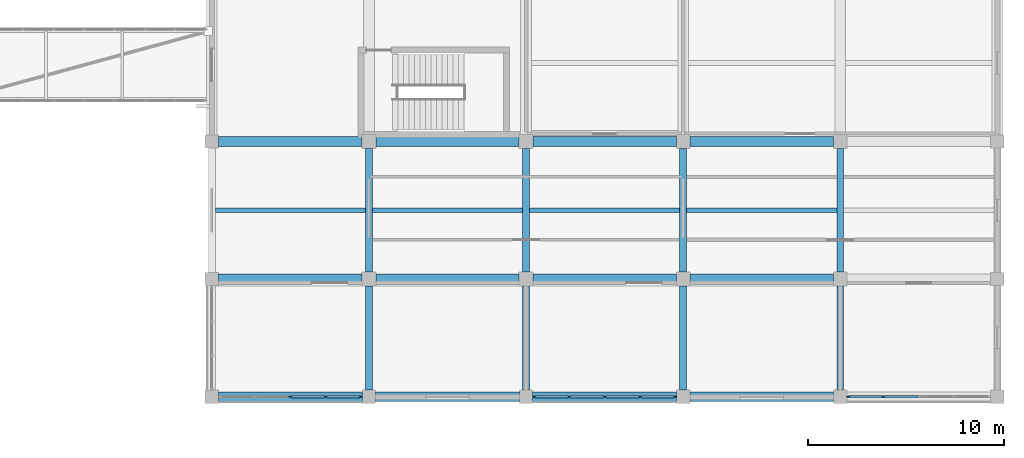
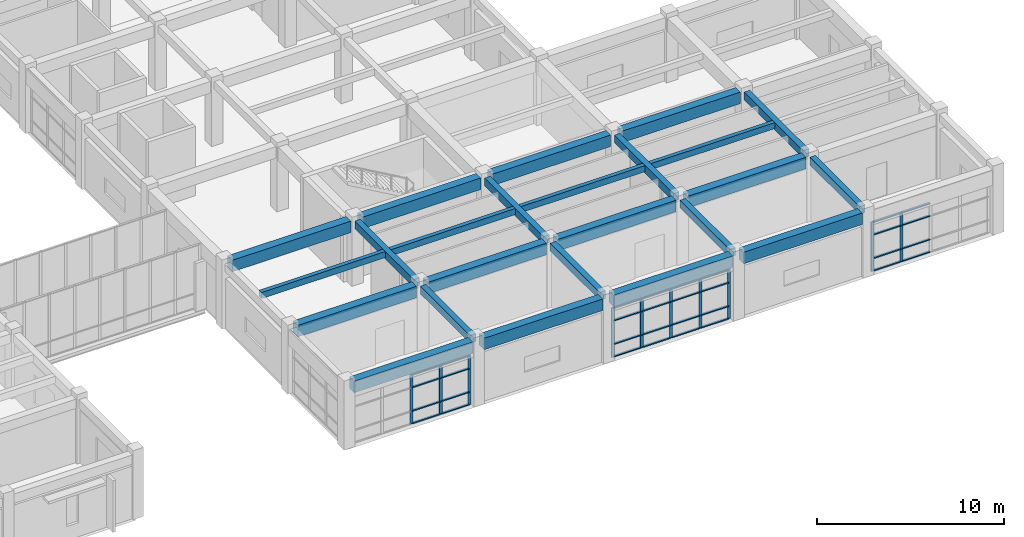
# One storey, part 33 of 72: 42 members, 24 beams, 3 elements without a shape of their own.
"""IFC4 building model written with IfcOpenShell, lengths in metres."""

import ifcopenshell
import ifcopenshell.guid

model = None  # the IFC model being written
_history = None  # IfcOwnerHistory: only IFC2X3 demands one
_inside = {}  # id of a spatial element -> (the spatial element, [elements in it])
_under = {}  # id of a project, library or spatial element -> (it, [spatial elements below it])
_declared = {}  # id of a project -> (the project, [libraries it declares])
_typed = {}  # id of a type object -> (the type object, [elements of that type])
_made_of = {}  # id of a material, layer set ... -> (it, [elements and type objects made of it])


def new_model(schema):
    """Start an empty IFC model of exactly this schema.

    Asked for "IFC4X3", IfcOpenShell would pick the latest addendum, in which some entities
    have other attributes; the version numbers below select the first issue.
    IFC2X3 requires an IfcOwnerHistory on every rooted entity: one is made here for all.
    """
    global model, _history
    if schema == "IFC4X3":
        model = ifcopenshell.file(schema_version=(4, 3, 0, 0))
    else:
        model = ifcopenshell.file(schema=schema)
    _inside.clear()
    _under.clear()
    _declared.clear()
    _typed.clear()
    _made_of.clear()
    _history = None
    if model.schema == "IFC2X3":
        org = make("IfcOrganization", Name="unknown")
        user = make(
            "IfcPersonAndOrganization",
            ThePerson=make("IfcPerson", FamilyName="unknown"),
            TheOrganization=org,
        )
        app = make(
            "IfcApplication",
            ApplicationDeveloper=org,
            Version="unknown",
            ApplicationFullName="unknown",
            ApplicationIdentifier="unknown",
        )
        _history = make(
            "IfcOwnerHistory",
            OwningUser=user,
            OwningApplication=app,
            ChangeAction="ADDED",
            CreationDate=0,
        )
    return model


def make(cls, **values):
    """One entity of the class cls with the attributes given. An attribute that is None is left unset."""
    return model.create_entity(
        cls, **{name: value for name, value in values.items() if value is not None}
    )


def rooted(cls, **values):
    """An entity with a GlobalId (a new one), such as an element, a storey or a relation."""
    return make(cls, GlobalId=ifcopenshell.guid.new(), OwnerHistory=_history, **values)


def si_unit(unit_type, name, prefix=None):
    """IfcSIUnit, for example si_unit("LENGTHUNIT", "METRE", prefix="MILLI")."""
    return make("IfcSIUnit", UnitType=unit_type, Prefix=prefix, Name=name)


def assignment(units):
    """IfcUnitAssignment: the units of a project."""
    return None if units is None else make("IfcUnitAssignment", Units=units)


def point(xyz):
    """IfcCartesianPoint."""
    return None if xyz is None else make("IfcCartesianPoint", Coordinates=xyz)


def direction(xyz):
    """IfcDirection."""
    return None if xyz is None else make("IfcDirection", DirectionRatios=xyz)


def frame(location, z_axis=None, x_axis=None):
    """IfcAxis2Placement3D, a coordinate frame: its origin and axes. An axis left out is left unset."""
    return make(
        "IfcAxis2Placement3D",
        Location=point(location),
        Axis=direction(z_axis),
        RefDirection=direction(x_axis),
    )


def frame_2d(location, x_axis=None):
    """IfcAxis2Placement2D, a coordinate frame in the plane: its origin and x axis."""
    return make(
        "IfcAxis2Placement2D", Location=point(location), RefDirection=direction(x_axis)
    )


def origin():
    """The frame at (0, 0, 0) with its axes left unset."""
    return frame((0.0, 0.0, 0.0))


def origin_2d():
    """The frame at (0, 0) in the plane with its x axis left unset."""
    return frame_2d((0.0, 0.0))


def place(relative_to, where):
    """IfcLocalPlacement: puts the frame where relative to a parent placement (None: the world)."""
    return make(
        "IfcLocalPlacement", PlacementRelTo=relative_to, RelativePlacement=where
    )


def context(
    kind, dimensions, precision=None, world=None, true_north=None, identifier=None
):
    """IfcGeometricRepresentationContext, for example the 3D "Model" context."""
    return make(
        "IfcGeometricRepresentationContext",
        ContextIdentifier=identifier,
        ContextType=kind,
        CoordinateSpaceDimension=dimensions,
        Precision=precision,
        WorldCoordinateSystem=world,
        TrueNorth=true_north,
    )


def subcontext(parent, identifier, kind, view, scale=None):
    """IfcGeometricRepresentationSubContext, for example "Body" below "Model"."""
    return make(
        "IfcGeometricRepresentationSubContext",
        ContextIdentifier=identifier,
        ContextType=kind,
        ParentContext=parent,
        TargetScale=scale,
        TargetView=view,
    )


def project(units=None, contexts=None):
    """IfcProject with its units and contexts."""
    return rooted(
        "IfcProject",
        Name="project",
        RepresentationContexts=contexts,
        UnitsInContext=assignment(units),
    )


def spatial(cls, under=None, at=None, **own):
    """A site, building, storey or space (cls), placed at a placement, below another one or the project."""
    s = rooted(cls, ObjectPlacement=at, **own)
    if under is not None:
        _under.setdefault(under.id(), (under, []))[1].append(s)
    return s


def profile(cls, at=None, kind="AREA", **sizes):
    """A parametric profile (cls). Its sizes go by their IFC names, for example OverallWidth=200.0."""
    return make(cls, ProfileType=kind, Position=at, **sizes)


def rectangle(**sizes):
    """IfcRectangleProfileDef."""
    return profile("IfcRectangleProfileDef", **sizes)


def extrude(swept, where, along, depth):
    """IfcExtrudedAreaSolid: the profile swept, set in the frame where, extruded along a direction by depth."""
    return make(
        "IfcExtrudedAreaSolid",
        SweptArea=swept,
        Position=where,
        ExtrudedDirection=direction(along),
        Depth=depth,
    )


def shape(context_of_items, identifier, shape_type, items):
    """IfcShapeRepresentation: the items that make up one representation, for example the "Body"."""
    return make(
        "IfcShapeRepresentation",
        ContextOfItems=context_of_items,
        RepresentationIdentifier=identifier,
        RepresentationType=shape_type,
        Items=items,
    )


def material(Name=None, Category=None):
    """IfcMaterial."""
    return make("IfcMaterial", Name=Name, Category=Category)


def layer(
    of_material, thickness, ventilated=None, Name=None, Category=None, Priority=None
):
    """IfcMaterialLayer: one layer of a wall or slab, of a material (None: an air gap)."""
    return make(
        "IfcMaterialLayer",
        Material=of_material,
        LayerThickness=thickness,
        IsVentilated=ventilated,
        Name=Name,
        Category=Category,
        Priority=Priority,
    )


def layer_set(layers, Name=None):
    """IfcMaterialLayerSet."""
    return make("IfcMaterialLayerSet", MaterialLayers=layers, LayerSetName=Name)


def material_profile(
    of_material, cross_section, Name=None, Category=None, Priority=None
):
    """IfcMaterialProfile: a cross section and its material."""
    return make(
        "IfcMaterialProfile",
        Name=Name,
        Material=of_material,
        Profile=cross_section,
        Priority=Priority,
        Category=Category,
    )


def profile_set(profiles, Name=None, composite=None):
    """IfcMaterialProfileSet."""
    return make(
        "IfcMaterialProfileSet",
        Name=Name,
        MaterialProfiles=profiles,
        CompositeProfile=composite,
    )


def made_of(thing, what):
    """Note that an element or type object is made of a material, layer set ...; save() writes the relation."""
    if what is not None:
        _made_of.setdefault(what.id(), (what, []))[1].append(thing)
    return thing


def type_object(cls, material=None, **own):
    """A type object (cls), such as IfcWallType, which elements share."""
    return made_of(rooted(cls, **own), material)


def element(
    cls,
    number,
    at=None,
    inside=None,
    cuts=None,
    type_object=None,
    material=None,
    context=None,
    identifier="Body",
    shape_type=None,
    held_by="IfcProductDefinitionShape",
    body=None,
    shapes=None,
    **own,
):
    """One element of the class cls, such as IfcWall. Its Tag is "e" and its number.

    at: its placement. inside: the storey or other place that contains it. cuts: it is an
    opening in that element (IfcRelVoidsElement). A single representation is given by context,
    identifier, shape_type and body (its items); several are given by shapes. held_by: the class
    of the entity that holds the representations. save() writes the other relations.
    """
    e = rooted(cls, Tag="e%d" % number, ObjectPlacement=at, **own)
    if body is not None:
        shapes = [shape(context, identifier, shape_type, body)]
    if shapes is not None:
        e.Representation = make(held_by, Representations=shapes)
    if inside is not None:
        _inside.setdefault(inside.id(), (inside, []))[1].append(e)
    if cuts is not None:
        rooted(
            "IfcRelVoidsElement", RelatingBuildingElement=cuts, RelatedOpeningElement=e
        )
    if type_object is not None:
        _typed.setdefault(type_object.id(), (type_object, []))[1].append(e)
    return made_of(e, material)


def aggregate(whole, parts):
    """IfcRelAggregates: a whole, such as a stair, and the parts it consists of."""
    return rooted("IfcRelAggregates", RelatingObject=whole, RelatedObjects=parts)


def save(model, path):
    """Write the relations noted so far, then the file.

    IfcRelAggregates (storeys below a building ...), IfcRelContainedInSpatialStructure (elements
    in a storey), IfcRelDefinesByType, IfcRelAssociatesMaterial and IfcRelDeclares: one each for
    every whole, place, type object, material and project.
    """
    for whole, parts in _under.values():
        aggregate(whole, parts)
    for where, things in _inside.values():
        rooted(
            "IfcRelContainedInSpatialStructure",
            RelatedElements=things,
            RelatingStructure=where,
        )
    for kind, things in _typed.values():
        rooted("IfcRelDefinesByType", RelatedObjects=things, RelatingType=kind)
    for what, things in _made_of.values():
        rooted("IfcRelAssociatesMaterial", RelatedObjects=things, RelatingMaterial=what)
    for by, libraries in _declared.values():
        rooted("IfcRelDeclares", RelatingContext=by, RelatedDefinitions=libraries)
    model.write(path)


model = new_model("IFC4")

# Units and contexts
model_context = context("Model", 3, precision=1e-05, world=origin(), true_north=direction((0.0, 1.0)))
body_context = subcontext(model_context, "Body", "Model", "MODEL_VIEW")
ifc_project = project(units=[si_unit("LENGTHUNIT", "METRE"), si_unit("AREAUNIT", "SQUARE_METRE"), si_unit("VOLUMEUNIT", "CUBIC_METRE"), si_unit("PLANEANGLEUNIT", "RADIAN"), si_unit("MASSUNIT", "GRAM", prefix="KILO")], contexts=[model_context])

# Site, building, storey
site_placement = place(None, origin())
site = spatial("IfcSite", under=ifc_project, at=site_placement, CompositionType="ELEMENT")
building_placement = place(site_placement, origin())
building = spatial("IfcBuilding", under=site, at=building_placement, Name="Naurynzar Civic Courthouse", CompositionType="ELEMENT")
storey_placement = place(building_placement, frame((0.0, 0.0, 9.89990234375)))
storey = spatial("IfcBuildingStorey", under=building, at=storey_placement, Name="L03", CompositionType="ELEMENT", Elevation=9.89990234375)

# Beams
ifc_material_1 = material(Name="Concrete C40/50", Category="concrete")
ifc_material_profile_1 = material_profile(ifc_material_1, rectangle(XDim=0.25, YDim=0.39990234375, at=origin_2d()), Name="RCB 250x400")
ifc_profile_set_1 = profile_set([ifc_material_profile_1], Name="Concrete C40/50")
beam_type_1 = type_object("IfcBeamType", Name="BM-JST-250x400", PredefinedType="JOIST", material=ifc_profile_set_1)
for number, where, z_axis, x_axis, name in (
    (1, (130.175048828125, 13.5, 4.0), (1.0, 0.0, 0.0), (0.0, 1.0, 0.0), "V5 secondary rib 2471 L03"),
    (2, (138.175048828125, 13.5, 4.0), (1.0, 0.0, 0.0), (0.0, 1.0, 0.0), "V5 secondary rib 2472 L03"),
    (3, (146.175048828125, 13.5, 4.0), (1.0, 0.0, 0.0), (0.0, 1.0, 0.0), "V5 secondary rib 2473 L03"),
    (4, (154.175048828125, 13.5, 4.0), (1.0, 0.0, 0.0), (0.0, 1.0, 0.0), "V5 secondary rib 2474 L03"),
):
    element("IfcBeam", number, at=place(storey_placement, frame(where, z_axis=z_axis, x_axis=x_axis)), inside=storey, type_object=beam_type_1, Name=name, PredefinedType="JOIST", context=body_context, shape_type="SweptSolid", body=[
        extrude(rectangle(XDim=0.25, YDim=0.39990234375, at=origin_2d()), origin(), (0.0, 0.0, 1.0), 7.64990234375),
    ])
ifc_material_2 = material(Name="Concrete C40/50", Category="concrete")
ifc_material_profile_2 = material_profile(ifc_material_2, rectangle(XDim=0.35009765625, YDim=0.5, at=origin_2d()), Name="RCB 350x500")
ifc_profile_set_2 = profile_set([ifc_material_profile_2], Name="Concrete C40/50")
beam_type_2 = type_object("IfcBeamType", Name="BM-RC-350x500", PredefinedType="BEAM", material=ifc_profile_set_2)
beam_1_placement = place(storey_placement, frame((138.0, 4.33740234375, 3.9501953125), z_axis=(0.0, 1.0, 0.0), x_axis=(-1.0, 0.0, 0.0)))
element("IfcBeam", 5, at=beam_1_placement, inside=storey, type_object=beam_type_2, Name="V5 girder Y-2432 L03", PredefinedType="BEAM", context=body_context, shape_type="SweptSolid", body=[
    extrude(rectangle(XDim=0.35009765625, YDim=0.5, at=origin_2d()), origin(), (0.0, 0.0, 1.0), 5.3125),
])
beam_2_placement = place(storey_placement, frame((138.0, 10.35009765625, 3.9501953125), z_axis=(0.0, 1.0, 0.0), x_axis=(-1.0, 0.0, 0.0)))
element("IfcBeam", 6, at=beam_2_placement, inside=storey, type_object=beam_type_2, Name="V5 girder Y-2433 L03", PredefinedType="BEAM", context=body_context, shape_type="SweptSolid", body=[
    extrude(rectangle(XDim=0.35009765625, YDim=0.5, at=origin_2d()), origin(), (0.0, 0.0, 1.0), 6.2998046875),
])
beam_3_placement = place(storey_placement, frame((146.0, 4.33740234375, 3.9501953125), z_axis=(0.0, 1.0, 0.0), x_axis=(-1.0, 0.0, 0.0)))
element("IfcBeam", 7, at=beam_3_placement, inside=storey, type_object=beam_type_2, Name="V5 girder Y-2441 L03", PredefinedType="BEAM", context=body_context, shape_type="SweptSolid", body=[
    extrude(rectangle(XDim=0.35009765625, YDim=0.5, at=origin_2d()), origin(), (0.0, 0.0, 1.0), 5.3125),
])
beam_4_placement = place(storey_placement, frame((146.0, 10.35009765625, 3.9501953125), z_axis=(0.0, 1.0, 0.0), x_axis=(-1.0, 0.0, 0.0)))
element("IfcBeam", 8, at=beam_4_placement, inside=storey, type_object=beam_type_2, Name="V5 girder Y-2442 L03", PredefinedType="BEAM", context=body_context, shape_type="SweptSolid", body=[
    extrude(rectangle(XDim=0.35009765625, YDim=0.5, at=origin_2d()), origin(), (0.0, 0.0, 1.0), 6.2998046875),
])
beam_5_placement = place(storey_placement, frame((154.0, 4.33740234375, 3.9501953125), z_axis=(0.0, 1.0, 0.0), x_axis=(-1.0, 0.0, 0.0)))
element("IfcBeam", 9, at=beam_5_placement, inside=storey, type_object=beam_type_2, Name="V5 girder Y-2450 L03", PredefinedType="BEAM", context=body_context, shape_type="SweptSolid", body=[
    extrude(rectangle(XDim=0.35009765625, YDim=0.5, at=origin_2d()), origin(), (0.0, 0.0, 1.0), 5.3125),
])
beam_6_placement = place(storey_placement, frame((154.0, 10.35009765625, 3.9501953125), z_axis=(0.0, 1.0, 0.0), x_axis=(-1.0, 0.0, 0.0)))
element("IfcBeam", 10, at=beam_6_placement, inside=storey, type_object=beam_type_2, Name="V5 girder Y-2451 L03", PredefinedType="BEAM", context=body_context, shape_type="SweptSolid", body=[
    extrude(rectangle(XDim=0.35009765625, YDim=0.5, at=origin_2d()), origin(), (0.0, 0.0, 1.0), 6.2998046875),
])
beam_7_placement = place(storey_placement, frame((162.0, 4.33740234375, 3.9501953125), z_axis=(0.0, 1.0, 0.0), x_axis=(-1.0, 0.0, 0.0)))
element("IfcBeam", 11, at=beam_7_placement, inside=storey, type_object=beam_type_2, Name="V5 girder Y-2459 L03", PredefinedType="BEAM", context=body_context, shape_type="SweptSolid", body=[
    extrude(rectangle(XDim=0.35009765625, YDim=0.5, at=origin_2d()), origin(), (0.0, 0.0, 1.0), 5.3125),
])
beam_8_placement = place(storey_placement, frame((162.0, 10.35009765625, 3.9501953125), z_axis=(0.0, 1.0, 0.0), x_axis=(-1.0, 0.0, 0.0)))
element("IfcBeam", 12, at=beam_8_placement, inside=storey, type_object=beam_type_2, Name="V5 girder Y-2460 L03", PredefinedType="BEAM", context=body_context, shape_type="SweptSolid", body=[
    extrude(rectangle(XDim=0.35009765625, YDim=0.5, at=origin_2d()), origin(), (0.0, 0.0, 1.0), 6.2998046875),
])
ifc_material_3 = material(Name="Concrete C40/50", Category="concrete")
ifc_material_profile_3 = material_profile(ifc_material_3, rectangle(XDim=0.5, YDim=0.75, at=origin_2d()), Name="RCB 500x750")
ifc_profile_set_3 = profile_set([ifc_material_profile_3], Name="Concrete C40/50")
beam_type_3 = type_object("IfcBeamType", Name="BM-RC-500x750", PredefinedType="BEAM", material=ifc_profile_set_3)
for number, where, z_axis, x_axis, name in (
    (13, (130.33740234375, 4.0, 3.8251953125), (1.0, 0.0, 0.0), (0.0, 1.0, 0.0), "V5 beam X-2377 L03"),
    (14, (138.33740234375, 4.0, 3.8251953125), (1.0, 0.0, 0.0), (0.0, 1.0, 0.0), "V5 beam X-2378 L03"),
    (15, (146.33740234375, 4.0, 3.8251953125), (1.0, 0.0, 0.0), (0.0, 1.0, 0.0), "V5 beam X-2379 L03"),
    (16, (154.33740234375, 4.0, 3.8251953125), (1.0, 0.0, 0.0), (0.0, 1.0, 0.0), "V5 beam X-2380 L03"),
):
    element("IfcBeam", number, at=place(storey_placement, frame(where, z_axis=z_axis, x_axis=x_axis)), inside=storey, type_object=beam_type_3, Name=name, PredefinedType="BEAM", context=body_context, shape_type="SweptSolid", body=[
        extrude(rectangle(XDim=0.5, YDim=0.75, at=origin_2d()), origin(), (0.0, 0.0, 1.0), 7.3251953125),
    ])
beam_9_placement = place(storey_placement, frame((130.33740234375, 10.0, 3.8251953125), z_axis=(1.0, 0.0, 0.0), x_axis=(0.0, 1.0, 0.0)))
element("IfcBeam", 17, at=beam_9_placement, inside=storey, type_object=beam_type_3, Name="V5 beam X-2382 L03", PredefinedType="BEAM", context=body_context, shape_type="SweptSolid", body=[
    extrude(rectangle(XDim=0.5, YDim=0.75, at=origin_2d()), origin(), (0.0, 0.0, 1.0), 7.3125),
])
for number, where, z_axis, x_axis, name in (
    (18, (138.35009765625, 10.0, 3.8251953125), (1.0, 0.0, 0.0), (0.0, 1.0, 0.0), "V5 beam X-2383 L03"),
    (19, (146.35009765625, 10.0, 3.8251953125), (1.0, 0.0, 0.0), (0.0, 1.0, 0.0), "V5 beam X-2384 L03"),
    (20, (154.35009765625, 10.0, 3.8251953125), (1.0, 0.0, 0.0), (0.0, 1.0, 0.0), "V5 beam X-2385 L03"),
):
    element("IfcBeam", number, at=place(storey_placement, frame(where, z_axis=z_axis, x_axis=x_axis)), inside=storey, type_object=beam_type_3, Name=name, PredefinedType="BEAM", context=body_context, shape_type="SweptSolid", body=[
        extrude(rectangle(XDim=0.5, YDim=0.75, at=origin_2d()), origin(), (0.0, 0.0, 1.0), 7.2998046875),
    ])
beam_10_placement = place(storey_placement, frame((130.33740234375, 17.0, 3.8251953125), z_axis=(1.0, 0.0, 0.0), x_axis=(0.0, 1.0, 0.0)))
element("IfcBeam", 21, at=beam_10_placement, inside=storey, type_object=beam_type_3, Name="V5 beam X-2387 L03", PredefinedType="BEAM", context=body_context, shape_type="SweptSolid", body=[
    extrude(rectangle(XDim=0.5, YDim=0.75, at=origin_2d()), origin(), (0.0, 0.0, 1.0), 7.3125),
])
for number, where, z_axis, x_axis, name in (
    (22, (138.35009765625, 17.0, 3.8251953125), (1.0, 0.0, 0.0), (0.0, 1.0, 0.0), "V5 beam X-2388 L03"),
    (23, (146.35009765625, 17.0, 3.8251953125), (1.0, 0.0, 0.0), (0.0, 1.0, 0.0), "V5 beam X-2389 L03"),
    (24, (154.35009765625, 17.0, 3.8251953125), (1.0, 0.0, 0.0), (0.0, 1.0, 0.0), "V5 beam X-2390 L03"),
):
    element("IfcBeam", number, at=place(storey_placement, frame(where, z_axis=z_axis, x_axis=x_axis)), inside=storey, type_object=beam_type_3, Name=name, PredefinedType="BEAM", context=body_context, shape_type="SweptSolid", body=[
        extrude(rectangle(XDim=0.5, YDim=0.75, at=origin_2d()), origin(), (0.0, 0.0, 1.0), 7.2998046875),
    ])

# Curtain wall, members
ifc_material_4 = material(Name="Aluminium 6063-T6", Category="aluminium")
ifc_layer = layer(ifc_material_4, 0.159912109375)
ifc_layer_set = layer_set([ifc_layer], Name="CW-UNIT-1800")
curtain_wall_type = type_object("IfcCurtainWallType", Name="CW-UNIT-1800", PredefinedType="NOTDEFINED", material=ifc_layer_set)
curtain_wall_1_placement = place(storey_placement, origin())
curtain_wall_1 = element("IfcCurtainWall", 25, at=curtain_wall_1_placement, inside=storey, type_object=curtain_wall_type, Name="V5 unitised curtain wall 94 L03", PredefinedType="NOTDEFINED")
ifc_material_5 = material(Name="Aluminium 6063-T6", Category="aluminium")
ifc_material_profile_4 = material_profile(ifc_material_5, rectangle(XDim=0.070068359375, YDim=0.179931640625, at=origin_2d()), Name="ALU MULLION 70x180")
ifc_profile_set_4 = profile_set([ifc_material_profile_4], Name="Aluminium 6063-T6")
member_type_1 = type_object("IfcMemberType", Name="CWM-70x180", PredefinedType="MULLION", material=ifc_profile_set_4)
member_1_placement = place(storey_placement, frame((164.19384765625, 4.0, 0.0), z_axis=(0.0, 0.0, 1.0), x_axis=(0.0, -1.0, 0.0)))
member_1 = element("IfcMember", 26, at=member_1_placement, type_object=member_type_1, Name="CW-02 mullion 4", PredefinedType="MULLION", context=body_context, shape_type="SweptSolid", body=[
    extrude(rectangle(XDim=0.070068359375, YDim=0.179931640625, at=origin_2d()), origin(), (0.0, 0.0, 1.0), 3.22998046875),
])
member_2_placement = place(storey_placement, frame((162.422607421875, 4.0, 0.0), z_axis=(0.0, 0.0, 1.0), x_axis=(0.0, -1.0, 0.0)))
member_2 = element("IfcMember", 27, at=member_2_placement, type_object=member_type_1, Name="CW-02 mullion 5", PredefinedType="MULLION", context=body_context, shape_type="SweptSolid", body=[
    extrude(rectangle(XDim=0.070068359375, YDim=0.179931640625, at=origin_2d()), origin(), (0.0, 0.0, 1.0), 3.22998046875),
])

curtain_wall_2_placement = place(storey_placement, origin())
curtain_wall_2 = element("IfcCurtainWall", 28, at=curtain_wall_2_placement, inside=storey, type_object=curtain_wall_type, Name="V5 unitised curtain wall 95 L03", PredefinedType="NOTDEFINED")
member_3_placement = place(storey_placement, frame((153.577392578125, 4.0, 0.0), z_axis=(0.0, 0.0, 1.0), x_axis=(0.0, -1.0, 0.0)))
member_3 = element("IfcMember", 29, at=member_3_placement, type_object=member_type_1, Name="CW-02 mullion 1", PredefinedType="MULLION", context=body_context, shape_type="SweptSolid", body=[
    extrude(rectangle(XDim=0.070068359375, YDim=0.179931640625, at=origin_2d()), origin(), (0.0, 0.0, 1.0), 3.22998046875),
])
member_4_placement = place(storey_placement, frame((151.80615234375, 4.0, 0.0), z_axis=(0.0, 0.0, 1.0), x_axis=(0.0, -1.0, 0.0)))
member_4 = element("IfcMember", 30, at=member_4_placement, type_object=member_type_1, Name="CW-02 mullion 2", PredefinedType="MULLION", context=body_context, shape_type="SweptSolid", body=[
    extrude(rectangle(XDim=0.070068359375, YDim=0.179931640625, at=origin_2d()), origin(), (0.0, 0.0, 1.0), 3.22998046875),
])
member_5_placement = place(storey_placement, frame((150.0, 4.0, 0.0), z_axis=(0.0, 0.0, 1.0), x_axis=(0.0, -1.0, 0.0)))
member_5 = element("IfcMember", 31, at=member_5_placement, type_object=member_type_1, Name="CW-02 mullion 3", PredefinedType="MULLION", context=body_context, shape_type="SweptSolid", body=[
    extrude(rectangle(XDim=0.070068359375, YDim=0.179931640625, at=origin_2d()), origin(), (0.0, 0.0, 1.0), 3.22998046875),
])
member_6_placement = place(storey_placement, frame((148.19384765625, 4.0, 0.0), z_axis=(0.0, 0.0, 1.0), x_axis=(0.0, -1.0, 0.0)))
member_6 = element("IfcMember", 32, at=member_6_placement, type_object=member_type_1, Name="CW-02 mullion 4", PredefinedType="MULLION", context=body_context, shape_type="SweptSolid", body=[
    extrude(rectangle(XDim=0.070068359375, YDim=0.179931640625, at=origin_2d()), origin(), (0.0, 0.0, 1.0), 3.22998046875),
])
member_7_placement = place(storey_placement, frame((146.422607421875, 4.0, 0.0), z_axis=(0.0, 0.0, 1.0), x_axis=(0.0, -1.0, 0.0)))
member_7 = element("IfcMember", 33, at=member_7_placement, type_object=member_type_1, Name="CW-02 mullion 5", PredefinedType="MULLION", context=body_context, shape_type="SweptSolid", body=[
    extrude(rectangle(XDim=0.070068359375, YDim=0.179931640625, at=origin_2d()), origin(), (0.0, 0.0, 1.0), 3.22998046875),
])

curtain_wall_3_placement = place(storey_placement, origin())
curtain_wall_3 = element("IfcCurtainWall", 34, at=curtain_wall_3_placement, inside=storey, type_object=curtain_wall_type, Name="V5 unitised curtain wall 96 L03", PredefinedType="NOTDEFINED")
member_8_placement = place(storey_placement, frame((137.577392578125, 4.0, 0.0), z_axis=(0.0, 0.0, 1.0), x_axis=(0.0, -1.0, 0.0)))
member_8 = element("IfcMember", 35, at=member_8_placement, type_object=member_type_1, Name="CW-02 mullion 1", PredefinedType="MULLION", context=body_context, shape_type="SweptSolid", body=[
    extrude(rectangle(XDim=0.070068359375, YDim=0.179931640625, at=origin_2d()), origin(), (0.0, 0.0, 1.0), 3.22998046875),
])
member_9_placement = place(storey_placement, frame((135.80615234375, 4.0, 0.0), z_axis=(0.0, 0.0, 1.0), x_axis=(0.0, -1.0, 0.0)))
member_9 = element("IfcMember", 36, at=member_9_placement, type_object=member_type_1, Name="CW-02 mullion 2", PredefinedType="MULLION", context=body_context, shape_type="SweptSolid", body=[
    extrude(rectangle(XDim=0.070068359375, YDim=0.179931640625, at=origin_2d()), origin(), (0.0, 0.0, 1.0), 3.22998046875),
])
member_10_placement = place(storey_placement, frame((134.0, 4.0, 0.0), z_axis=(0.0, 0.0, 1.0), x_axis=(0.0, -1.0, 0.0)))
member_10 = element("IfcMember", 37, at=member_10_placement, type_object=member_type_1, Name="CW-02 mullion 3", PredefinedType="MULLION", context=body_context, shape_type="SweptSolid", body=[
    extrude(rectangle(XDim=0.070068359375, YDim=0.179931640625, at=origin_2d()), origin(), (0.0, 0.0, 1.0), 3.22998046875),
])

# Member
ifc_material_6 = material(Name="Aluminium 6063-T6", Category="aluminium")
ifc_material_profile_5 = material_profile(ifc_material_6, rectangle(XDim=0.1298828125, YDim=0.070068359375, at=origin_2d()), Name="ALU TRANSOM 70x130")
ifc_profile_set_5 = profile_set([ifc_material_profile_5], Name="Aluminium 6063-T6")
member_type_2 = type_object("IfcMemberType", Name="CWT-70x130", PredefinedType="USERDEFINED", material=ifc_profile_set_5)
member_11_placement = place(storey_placement, frame((165.965087890625, 4.0, 0.03515625), z_axis=(-1.0, 0.0, 0.0), x_axis=(0.0, -1.0, 0.0)))
member_11 = element("IfcMember", 38, at=member_11_placement, type_object=member_type_2, Name="CW-02 transom 3.1", ObjectType="TRANSOM", PredefinedType="USERDEFINED", context=body_context, shape_type="SweptSolid", body=[
    extrude(rectangle(XDim=0.1298828125, YDim=0.070068359375, at=origin_2d()), origin(), (0.0, 0.0, 1.0), 1.736328125),
])

member_12_placement = place(storey_placement, frame((165.965087890625, 4.0, 0.85009765625), z_axis=(-1.0, 0.0, 0.0), x_axis=(0.0, -1.0, 0.0)))
member_12 = element("IfcMember", 39, at=member_12_placement, type_object=member_type_2, Name="CW-02 transom 3.2", ObjectType="TRANSOM", PredefinedType="USERDEFINED", context=body_context, shape_type="SweptSolid", body=[
    extrude(rectangle(XDim=0.1298828125, YDim=0.070068359375, at=origin_2d()), origin(), (0.0, 0.0, 1.0), 1.736328125),
])

member_13_placement = place(storey_placement, frame((165.965087890625, 4.0, 2.380126953125), z_axis=(-1.0, 0.0, 0.0), x_axis=(0.0, -1.0, 0.0)))
member_13 = element("IfcMember", 40, at=member_13_placement, type_object=member_type_2, Name="CW-02 transom 3.3", ObjectType="TRANSOM", PredefinedType="USERDEFINED", context=body_context, shape_type="SweptSolid", body=[
    extrude(rectangle(XDim=0.1298828125, YDim=0.070068359375, at=origin_2d()), origin(), (0.0, 0.0, 1.0), 1.736328125),
])

member_14_placement = place(storey_placement, frame((165.965087890625, 4.0, 3.195068359375), z_axis=(-1.0, 0.0, 0.0), x_axis=(0.0, -1.0, 0.0)))
member_14 = element("IfcMember", 41, at=member_14_placement, type_object=member_type_2, Name="CW-02 transom 3.4", ObjectType="TRANSOM", PredefinedType="USERDEFINED", context=body_context, shape_type="SweptSolid", body=[
    extrude(rectangle(XDim=0.1298828125, YDim=0.070068359375, at=origin_2d()), origin(), (0.0, 0.0, 1.0), 1.736328125),
])

member_15_placement = place(storey_placement, frame((164.15869140625, 4.0, 0.03515625), z_axis=(-1.0, 0.0, 0.0), x_axis=(0.0, -1.0, 0.0)))
member_15 = element("IfcMember", 42, at=member_15_placement, type_object=member_type_2, Name="CW-02 transom 4.1", ObjectType="TRANSOM", PredefinedType="USERDEFINED", context=body_context, shape_type="SweptSolid", body=[
    extrude(rectangle(XDim=0.1298828125, YDim=0.070068359375, at=origin_2d()), origin(), (0.0, 0.0, 1.0), 1.701171875),
])

member_16_placement = place(storey_placement, frame((164.15869140625, 4.0, 0.85009765625), z_axis=(-1.0, 0.0, 0.0), x_axis=(0.0, -1.0, 0.0)))
member_16 = element("IfcMember", 43, at=member_16_placement, type_object=member_type_2, Name="CW-02 transom 4.2", ObjectType="TRANSOM", PredefinedType="USERDEFINED", context=body_context, shape_type="SweptSolid", body=[
    extrude(rectangle(XDim=0.1298828125, YDim=0.070068359375, at=origin_2d()), origin(), (0.0, 0.0, 1.0), 1.701171875),
])

member_17_placement = place(storey_placement, frame((164.15869140625, 4.0, 2.380126953125), z_axis=(-1.0, 0.0, 0.0), x_axis=(0.0, -1.0, 0.0)))
member_17 = element("IfcMember", 44, at=member_17_placement, type_object=member_type_2, Name="CW-02 transom 4.3", ObjectType="TRANSOM", PredefinedType="USERDEFINED", context=body_context, shape_type="SweptSolid", body=[
    extrude(rectangle(XDim=0.1298828125, YDim=0.070068359375, at=origin_2d()), origin(), (0.0, 0.0, 1.0), 1.701171875),
])

member_18_placement = place(storey_placement, frame((164.15869140625, 4.0, 3.195068359375), z_axis=(-1.0, 0.0, 0.0), x_axis=(0.0, -1.0, 0.0)))
member_18 = element("IfcMember", 45, at=member_18_placement, type_object=member_type_2, Name="CW-02 transom 4.4", ObjectType="TRANSOM", PredefinedType="USERDEFINED", context=body_context, shape_type="SweptSolid", body=[
    extrude(rectangle(XDim=0.1298828125, YDim=0.070068359375, at=origin_2d()), origin(), (0.0, 0.0, 1.0), 1.701171875),
])

aggregate(curtain_wall_1, [member_1, member_2, member_11, member_12, member_13, member_14, member_15, member_16, member_17, member_18])

member_19_placement = place(storey_placement, frame((153.54248046875, 4.0, 0.03515625), z_axis=(-1.0, 0.0, 0.0), x_axis=(0.0, -1.0, 0.0)))
member_19 = element("IfcMember", 46, at=member_19_placement, type_object=member_type_2, Name="CW-02 transom 1.1", ObjectType="TRANSOM", PredefinedType="USERDEFINED", context=body_context, shape_type="SweptSolid", body=[
    extrude(rectangle(XDim=0.1298828125, YDim=0.070068359375, at=origin_2d()), origin(), (0.0, 0.0, 1.0), 1.701171875),
])

member_20_placement = place(storey_placement, frame((153.54248046875, 4.0, 0.85009765625), z_axis=(-1.0, 0.0, 0.0), x_axis=(0.0, -1.0, 0.0)))
member_20 = element("IfcMember", 47, at=member_20_placement, type_object=member_type_2, Name="CW-02 transom 1.2", ObjectType="TRANSOM", PredefinedType="USERDEFINED", context=body_context, shape_type="SweptSolid", body=[
    extrude(rectangle(XDim=0.1298828125, YDim=0.070068359375, at=origin_2d()), origin(), (0.0, 0.0, 1.0), 1.701171875),
])

member_21_placement = place(storey_placement, frame((153.54248046875, 4.0, 2.380126953125), z_axis=(-1.0, 0.0, 0.0), x_axis=(0.0, -1.0, 0.0)))
member_21 = element("IfcMember", 48, at=member_21_placement, type_object=member_type_2, Name="CW-02 transom 1.3", ObjectType="TRANSOM", PredefinedType="USERDEFINED", context=body_context, shape_type="SweptSolid", body=[
    extrude(rectangle(XDim=0.1298828125, YDim=0.070068359375, at=origin_2d()), origin(), (0.0, 0.0, 1.0), 1.701171875),
])

member_22_placement = place(storey_placement, frame((153.54248046875, 4.0, 3.195068359375), z_axis=(-1.0, 0.0, 0.0), x_axis=(0.0, -1.0, 0.0)))
member_22 = element("IfcMember", 49, at=member_22_placement, type_object=member_type_2, Name="CW-02 transom 1.4", ObjectType="TRANSOM", PredefinedType="USERDEFINED", context=body_context, shape_type="SweptSolid", body=[
    extrude(rectangle(XDim=0.1298828125, YDim=0.070068359375, at=origin_2d()), origin(), (0.0, 0.0, 1.0), 1.701171875),
])

member_23_placement = place(storey_placement, frame((151.771240234375, 4.0, 0.03515625), z_axis=(-1.0, 0.0, 0.0), x_axis=(0.0, -1.0, 0.0)))
member_23 = element("IfcMember", 50, at=member_23_placement, type_object=member_type_2, Name="CW-02 transom 2.1", ObjectType="TRANSOM", PredefinedType="USERDEFINED", context=body_context, shape_type="SweptSolid", body=[
    extrude(rectangle(XDim=0.1298828125, YDim=0.070068359375, at=origin_2d()), origin(), (0.0, 0.0, 1.0), 1.736328125),
])

member_24_placement = place(storey_placement, frame((151.771240234375, 4.0, 0.85009765625), z_axis=(-1.0, 0.0, 0.0), x_axis=(0.0, -1.0, 0.0)))
member_24 = element("IfcMember", 51, at=member_24_placement, type_object=member_type_2, Name="CW-02 transom 2.2", ObjectType="TRANSOM", PredefinedType="USERDEFINED", context=body_context, shape_type="SweptSolid", body=[
    extrude(rectangle(XDim=0.1298828125, YDim=0.070068359375, at=origin_2d()), origin(), (0.0, 0.0, 1.0), 1.736328125),
])

member_25_placement = place(storey_placement, frame((151.771240234375, 4.0, 2.380126953125), z_axis=(-1.0, 0.0, 0.0), x_axis=(0.0, -1.0, 0.0)))
member_25 = element("IfcMember", 52, at=member_25_placement, type_object=member_type_2, Name="CW-02 transom 2.3", ObjectType="TRANSOM", PredefinedType="USERDEFINED", context=body_context, shape_type="SweptSolid", body=[
    extrude(rectangle(XDim=0.1298828125, YDim=0.070068359375, at=origin_2d()), origin(), (0.0, 0.0, 1.0), 1.736328125),
])

member_26_placement = place(storey_placement, frame((151.771240234375, 4.0, 3.195068359375), z_axis=(-1.0, 0.0, 0.0), x_axis=(0.0, -1.0, 0.0)))
member_26 = element("IfcMember", 53, at=member_26_placement, type_object=member_type_2, Name="CW-02 transom 2.4", ObjectType="TRANSOM", PredefinedType="USERDEFINED", context=body_context, shape_type="SweptSolid", body=[
    extrude(rectangle(XDim=0.1298828125, YDim=0.070068359375, at=origin_2d()), origin(), (0.0, 0.0, 1.0), 1.736328125),
])

member_27_placement = place(storey_placement, frame((149.965087890625, 4.0, 0.03515625), z_axis=(-1.0, 0.0, 0.0), x_axis=(0.0, -1.0, 0.0)))
member_27 = element("IfcMember", 54, at=member_27_placement, type_object=member_type_2, Name="CW-02 transom 3.1", ObjectType="TRANSOM", PredefinedType="USERDEFINED", context=body_context, shape_type="SweptSolid", body=[
    extrude(rectangle(XDim=0.1298828125, YDim=0.070068359375, at=origin_2d()), origin(), (0.0, 0.0, 1.0), 1.736328125),
])

member_28_placement = place(storey_placement, frame((149.965087890625, 4.0, 0.85009765625), z_axis=(-1.0, 0.0, 0.0), x_axis=(0.0, -1.0, 0.0)))
member_28 = element("IfcMember", 55, at=member_28_placement, type_object=member_type_2, Name="CW-02 transom 3.2", ObjectType="TRANSOM", PredefinedType="USERDEFINED", context=body_context, shape_type="SweptSolid", body=[
    extrude(rectangle(XDim=0.1298828125, YDim=0.070068359375, at=origin_2d()), origin(), (0.0, 0.0, 1.0), 1.736328125),
])

member_29_placement = place(storey_placement, frame((149.965087890625, 4.0, 2.380126953125), z_axis=(-1.0, 0.0, 0.0), x_axis=(0.0, -1.0, 0.0)))
member_29 = element("IfcMember", 56, at=member_29_placement, type_object=member_type_2, Name="CW-02 transom 3.3", ObjectType="TRANSOM", PredefinedType="USERDEFINED", context=body_context, shape_type="SweptSolid", body=[
    extrude(rectangle(XDim=0.1298828125, YDim=0.070068359375, at=origin_2d()), origin(), (0.0, 0.0, 1.0), 1.736328125),
])

member_30_placement = place(storey_placement, frame((149.965087890625, 4.0, 3.195068359375), z_axis=(-1.0, 0.0, 0.0), x_axis=(0.0, -1.0, 0.0)))
member_30 = element("IfcMember", 57, at=member_30_placement, type_object=member_type_2, Name="CW-02 transom 3.4", ObjectType="TRANSOM", PredefinedType="USERDEFINED", context=body_context, shape_type="SweptSolid", body=[
    extrude(rectangle(XDim=0.1298828125, YDim=0.070068359375, at=origin_2d()), origin(), (0.0, 0.0, 1.0), 1.736328125),
])

member_31_placement = place(storey_placement, frame((148.15869140625, 4.0, 0.03515625), z_axis=(-1.0, 0.0, 0.0), x_axis=(0.0, -1.0, 0.0)))
member_31 = element("IfcMember", 58, at=member_31_placement, type_object=member_type_2, Name="CW-02 transom 4.1", ObjectType="TRANSOM", PredefinedType="USERDEFINED", context=body_context, shape_type="SweptSolid", body=[
    extrude(rectangle(XDim=0.1298828125, YDim=0.070068359375, at=origin_2d()), origin(), (0.0, 0.0, 1.0), 1.701171875),
])

member_32_placement = place(storey_placement, frame((148.15869140625, 4.0, 0.85009765625), z_axis=(-1.0, 0.0, 0.0), x_axis=(0.0, -1.0, 0.0)))
member_32 = element("IfcMember", 59, at=member_32_placement, type_object=member_type_2, Name="CW-02 transom 4.2", ObjectType="TRANSOM", PredefinedType="USERDEFINED", context=body_context, shape_type="SweptSolid", body=[
    extrude(rectangle(XDim=0.1298828125, YDim=0.070068359375, at=origin_2d()), origin(), (0.0, 0.0, 1.0), 1.701171875),
])

member_33_placement = place(storey_placement, frame((148.15869140625, 4.0, 2.380126953125), z_axis=(-1.0, 0.0, 0.0), x_axis=(0.0, -1.0, 0.0)))
member_33 = element("IfcMember", 60, at=member_33_placement, type_object=member_type_2, Name="CW-02 transom 4.3", ObjectType="TRANSOM", PredefinedType="USERDEFINED", context=body_context, shape_type="SweptSolid", body=[
    extrude(rectangle(XDim=0.1298828125, YDim=0.070068359375, at=origin_2d()), origin(), (0.0, 0.0, 1.0), 1.701171875),
])

member_34_placement = place(storey_placement, frame((148.15869140625, 4.0, 3.195068359375), z_axis=(-1.0, 0.0, 0.0), x_axis=(0.0, -1.0, 0.0)))
member_34 = element("IfcMember", 61, at=member_34_placement, type_object=member_type_2, Name="CW-02 transom 4.4", ObjectType="TRANSOM", PredefinedType="USERDEFINED", context=body_context, shape_type="SweptSolid", body=[
    extrude(rectangle(XDim=0.1298828125, YDim=0.070068359375, at=origin_2d()), origin(), (0.0, 0.0, 1.0), 1.701171875),
])

aggregate(curtain_wall_2, [member_3, member_4, member_5, member_6, member_7, member_19, member_20, member_21, member_22, member_23, member_24, member_25, member_26, member_27, member_28, member_29, member_30, member_31, member_32, member_33, member_34])

member_35_placement = place(storey_placement, frame((137.54248046875, 4.0, 0.03515625), z_axis=(-1.0, 0.0, 0.0), x_axis=(0.0, -1.0, 0.0)))
member_35 = element("IfcMember", 62, at=member_35_placement, type_object=member_type_2, Name="CW-02 transom 1.1", ObjectType="TRANSOM", PredefinedType="USERDEFINED", context=body_context, shape_type="SweptSolid", body=[
    extrude(rectangle(XDim=0.1298828125, YDim=0.070068359375, at=origin_2d()), origin(), (0.0, 0.0, 1.0), 1.701171875),
])

member_36_placement = place(storey_placement, frame((137.54248046875, 4.0, 0.85009765625), z_axis=(-1.0, 0.0, 0.0), x_axis=(0.0, -1.0, 0.0)))
member_36 = element("IfcMember", 63, at=member_36_placement, type_object=member_type_2, Name="CW-02 transom 1.2", ObjectType="TRANSOM", PredefinedType="USERDEFINED", context=body_context, shape_type="SweptSolid", body=[
    extrude(rectangle(XDim=0.1298828125, YDim=0.070068359375, at=origin_2d()), origin(), (0.0, 0.0, 1.0), 1.701171875),
])

member_37_placement = place(storey_placement, frame((137.54248046875, 4.0, 2.380126953125), z_axis=(-1.0, 0.0, 0.0), x_axis=(0.0, -1.0, 0.0)))
member_37 = element("IfcMember", 64, at=member_37_placement, type_object=member_type_2, Name="CW-02 transom 1.3", ObjectType="TRANSOM", PredefinedType="USERDEFINED", context=body_context, shape_type="SweptSolid", body=[
    extrude(rectangle(XDim=0.1298828125, YDim=0.070068359375, at=origin_2d()), origin(), (0.0, 0.0, 1.0), 1.701171875),
])

member_38_placement = place(storey_placement, frame((137.54248046875, 4.0, 3.195068359375), z_axis=(-1.0, 0.0, 0.0), x_axis=(0.0, -1.0, 0.0)))
member_38 = element("IfcMember", 65, at=member_38_placement, type_object=member_type_2, Name="CW-02 transom 1.4", ObjectType="TRANSOM", PredefinedType="USERDEFINED", context=body_context, shape_type="SweptSolid", body=[
    extrude(rectangle(XDim=0.1298828125, YDim=0.070068359375, at=origin_2d()), origin(), (0.0, 0.0, 1.0), 1.701171875),
])

member_39_placement = place(storey_placement, frame((135.771240234375, 4.0, 0.03515625), z_axis=(-1.0, 0.0, 0.0), x_axis=(0.0, -1.0, 0.0)))
member_39 = element("IfcMember", 66, at=member_39_placement, type_object=member_type_2, Name="CW-02 transom 2.1", ObjectType="TRANSOM", PredefinedType="USERDEFINED", context=body_context, shape_type="SweptSolid", body=[
    extrude(rectangle(XDim=0.1298828125, YDim=0.070068359375, at=origin_2d()), origin(), (0.0, 0.0, 1.0), 1.736328125),
])

member_40_placement = place(storey_placement, frame((135.771240234375, 4.0, 0.85009765625), z_axis=(-1.0, 0.0, 0.0), x_axis=(0.0, -1.0, 0.0)))
member_40 = element("IfcMember", 67, at=member_40_placement, type_object=member_type_2, Name="CW-02 transom 2.2", ObjectType="TRANSOM", PredefinedType="USERDEFINED", context=body_context, shape_type="SweptSolid", body=[
    extrude(rectangle(XDim=0.1298828125, YDim=0.070068359375, at=origin_2d()), origin(), (0.0, 0.0, 1.0), 1.736328125),
])

member_41_placement = place(storey_placement, frame((135.771240234375, 4.0, 2.380126953125), z_axis=(-1.0, 0.0, 0.0), x_axis=(0.0, -1.0, 0.0)))
member_41 = element("IfcMember", 68, at=member_41_placement, type_object=member_type_2, Name="CW-02 transom 2.3", ObjectType="TRANSOM", PredefinedType="USERDEFINED", context=body_context, shape_type="SweptSolid", body=[
    extrude(rectangle(XDim=0.1298828125, YDim=0.070068359375, at=origin_2d()), origin(), (0.0, 0.0, 1.0), 1.736328125),
])

member_42_placement = place(storey_placement, frame((135.771240234375, 4.0, 3.195068359375), z_axis=(-1.0, 0.0, 0.0), x_axis=(0.0, -1.0, 0.0)))
member_42 = element("IfcMember", 69, at=member_42_placement, type_object=member_type_2, Name="CW-02 transom 2.4", ObjectType="TRANSOM", PredefinedType="USERDEFINED", context=body_context, shape_type="SweptSolid", body=[
    extrude(rectangle(XDim=0.1298828125, YDim=0.070068359375, at=origin_2d()), origin(), (0.0, 0.0, 1.0), 1.736328125),
])

aggregate(curtain_wall_3, [member_8, member_9, member_10, member_35, member_36, member_37, member_38, member_39, member_40, member_41, member_42])

save(model, "model.ifc")
